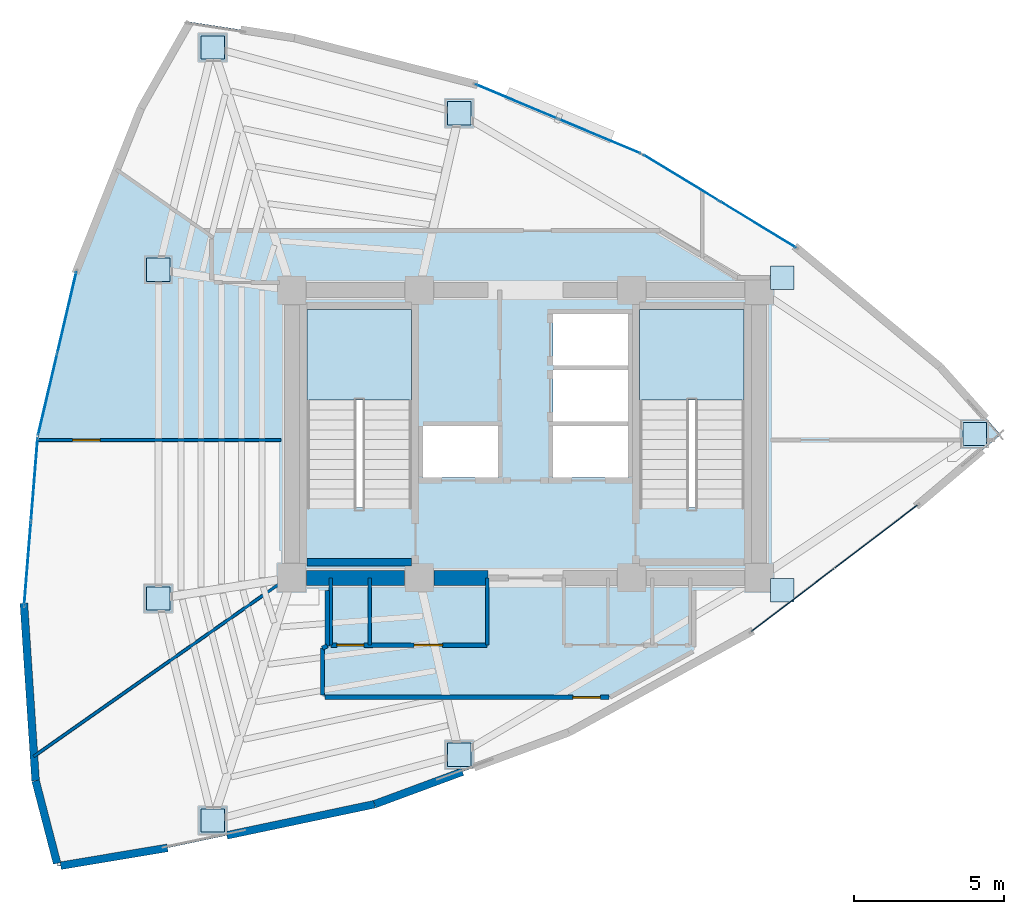
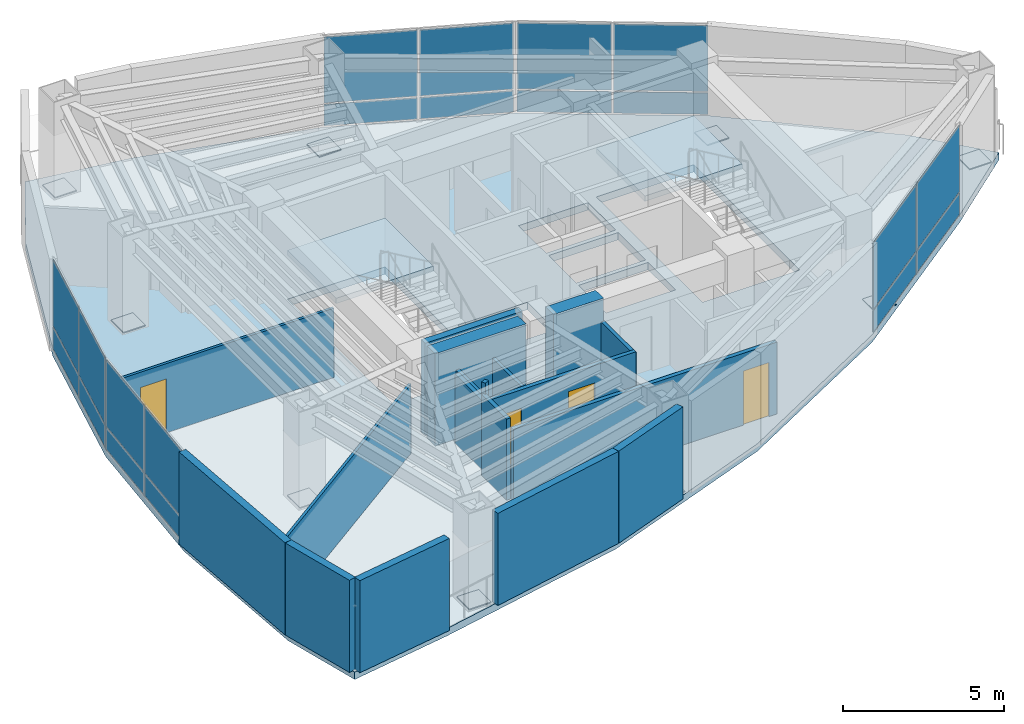
# One storey, part 11 of 15: 29 plates, 18 walls, 4 doors, 3 slabs, 4 openings, 7 elements without a shape of their own.
"""IFC4 building model written with IfcOpenShell, lengths in metres."""

from ifc_helpers import new_model, si_unit, direction, frame, frame_2d, origin, origin_2d, place, context, subcontext, project, spatial, polyline, rectangle, outline, extrude, material, layer, layer_set, type_object, element, fill, aggregate, save


model = new_model("IFC4")

# Units and contexts
model_context = context("Model", 3, precision=1e-05, world=origin(), true_north=direction((0.0, 1.0)))
body_context = subcontext(model_context, "Body", "Model", "MODEL_VIEW")
ifc_project = project(units=[si_unit("LENGTHUNIT", "METRE"), si_unit("AREAUNIT", "SQUARE_METRE"), si_unit("VOLUMEUNIT", "CUBIC_METRE"), si_unit("PLANEANGLEUNIT", "RADIAN"), si_unit("MASSUNIT", "GRAM", prefix="KILO")], contexts=[model_context])

# Site, building, storey
site_placement = place(None, origin())
site = spatial("IfcSite", under=ifc_project, at=site_placement, CompositionType="ELEMENT")
building_placement = place(site_placement, origin())
building = spatial("IfcBuilding", under=site, at=building_placement, Name="Menara Vayukalpa", CompositionType="ELEMENT")
storey_placement = place(building_placement, frame((0.0, 0.0, 172.919921875)))
storey = spatial("IfcBuildingStorey", under=building, at=storey_placement, Name="L43", CompositionType="ELEMENT", Elevation=172.919921875)

# Curtain wall, plates
ifc_material_1 = material(Name="Anodised Terracotta Aluminium Alloy 6063-T6", Category="masonry")
ifc_layer_1 = layer(ifc_material_1, 0.139892578125)
ifc_layer_set_1 = layer_set([ifc_layer_1], Name="Anodised Terracotta Aluminium Alloy 6063-T6")
curtain_wall_type = type_object("IfcCurtainWallType", Name="CW-CW5", PredefinedType="USERDEFINED", material=ifc_layer_set_1)
curtain_wall_1_placement = place(storey_placement, origin())
curtain_wall_1 = element("IfcCurtainWall", 1, at=curtain_wall_1_placement, inside=storey, type_object=curtain_wall_type, Name="L43 High Rise Tapered Curtain Wall CW5 04", ObjectType="UNITISED", PredefinedType="USERDEFINED")
ifc_material_2 = material(Name="Low-E Double Glazing", Category="glass")
ifc_layer_2 = layer(ifc_material_2, 0.028076171875)
ifc_layer_set_2 = layer_set([ifc_layer_2], Name="Low-E Double Glazing")
plate_type_1 = type_object("IfcPlateType", Name="CWP-CW5", PredefinedType="CURTAIN_PANEL", material=ifc_layer_set_2)
plate_1_placement = place(storey_placement, frame((33.358642578125, 28.994384765625, 0.06005859375), z_axis=(0.0, 0.0, 1.0), x_axis=(-0.854664974832, 0.519179911779, 0.0)))
plate_1 = element("IfcPlate", 2, at=plate_1_placement, type_object=plate_type_1, Name="CW5 panel 1.1", PredefinedType="CURTAIN_PANEL", context=body_context, shape_type="SweptSolid", body=[
    extrude(rectangle(XDim=2.9423828125, YDim=0.028076171875, at=origin_2d()), origin(), (0.0, 0.0, 1.0), 0.81005859375),
])
plate_2_placement = place(storey_placement, frame((33.358642578125, 28.994384765625, 0.93017578125), z_axis=(0.0, 0.0, 1.0), x_axis=(-0.854664974832, 0.519179911779, 0.0)))
plate_2 = element("IfcPlate", 3, at=plate_2_placement, type_object=plate_type_1, Name="CW5 panel 1.2", PredefinedType="CURTAIN_PANEL", context=body_context, shape_type="SweptSolid", body=[
    extrude(rectangle(XDim=2.9423828125, YDim=0.028076171875, at=origin_2d()), origin(), (0.0, 0.0, 1.0), 2.510009765625),
])
plate_3_placement = place(storey_placement, frame((30.79248046875, 30.55322265625, 0.06005859375), z_axis=(0.0, 0.0, 1.0), x_axis=(-0.854664974832, 0.519179911779, 0.0)))
plate_3 = element("IfcPlate", 4, at=plate_3_placement, type_object=plate_type_1, Name="CW5 panel 2.1", PredefinedType="CURTAIN_PANEL", context=body_context, shape_type="SweptSolid", body=[
    extrude(rectangle(XDim=2.9423828125, YDim=0.028076171875, at=origin_2d()), origin(), (0.0, 0.0, 1.0), 0.81005859375),
])
plate_4_placement = place(storey_placement, frame((30.79248046875, 30.55322265625, 0.93017578125), z_axis=(0.0, 0.0, 1.0), x_axis=(-0.854664974832, 0.519179911779, 0.0)))
plate_4 = element("IfcPlate", 5, at=plate_4_placement, type_object=plate_type_1, Name="CW5 panel 2.2", PredefinedType="CURTAIN_PANEL", context=body_context, shape_type="SweptSolid", body=[
    extrude(rectangle(XDim=2.9423828125, YDim=0.028076171875, at=origin_2d()), origin(), (0.0, 0.0, 1.0), 2.510009765625),
])
aggregate(curtain_wall_1, [plate_1, plate_2, plate_3, plate_4])

curtain_wall_2_placement = place(storey_placement, origin())
curtain_wall_2 = element("IfcCurtainWall", 6, at=curtain_wall_2_placement, inside=storey, type_object=curtain_wall_type, Name="L43 High Rise Tapered Curtain Wall CW5 05", ObjectType="UNITISED", PredefinedType="USERDEFINED")
plate_5_placement = place(storey_placement, frame((28.071044921875, 31.93896484375, 0.06005859375), z_axis=(0.0, 0.0, 1.0), x_axis=(-0.922539431351, 0.385902834406, 0.0)))
plate_5 = element("IfcPlate", 7, at=plate_5_placement, type_object=plate_type_1, Name="CW5 panel 1.1", PredefinedType="CURTAIN_PANEL", context=body_context, shape_type="SweptSolid", body=[
    extrude(rectangle(XDim=2.9423828125, YDim=0.028076171875, at=origin_2d()), origin(), (0.0, 0.0, 1.0), 0.81005859375),
])
plate_6_placement = place(storey_placement, frame((28.071044921875, 31.93896484375, 0.93017578125), z_axis=(0.0, 0.0, 1.0), x_axis=(-0.922539431351, 0.385902834406, 0.0)))
plate_6 = element("IfcPlate", 8, at=plate_6_placement, type_object=plate_type_1, Name="CW5 panel 1.2", PredefinedType="CURTAIN_PANEL", context=body_context, shape_type="SweptSolid", body=[
    extrude(rectangle(XDim=2.9423828125, YDim=0.028076171875, at=origin_2d()), origin(), (0.0, 0.0, 1.0), 2.510009765625),
])
plate_7_placement = place(storey_placement, frame((25.30126953125, 33.09765625, 0.06005859375), z_axis=(0.0, 0.0, 1.0), x_axis=(-0.922539431351, 0.385902834406, 0.0)))
plate_7 = element("IfcPlate", 9, at=plate_7_placement, type_object=plate_type_1, Name="CW5 panel 2.1", PredefinedType="CURTAIN_PANEL", context=body_context, shape_type="SweptSolid", body=[
    extrude(rectangle(XDim=2.9423828125, YDim=0.028076171875, at=origin_2d()), origin(), (0.0, 0.0, 1.0), 0.81005859375),
])
plate_8_placement = place(storey_placement, frame((25.30126953125, 33.09765625, 0.93017578125), z_axis=(0.0, 0.0, 1.0), x_axis=(-0.922539431351, 0.385902834406, 0.0)))
plate_8 = element("IfcPlate", 10, at=plate_8_placement, type_object=plate_type_1, Name="CW5 panel 2.2", PredefinedType="CURTAIN_PANEL", context=body_context, shape_type="SweptSolid", body=[
    extrude(rectangle(XDim=2.9423828125, YDim=0.028076171875, at=origin_2d()), origin(), (0.0, 0.0, 1.0), 2.510009765625),
])
aggregate(curtain_wall_2, [plate_5, plate_6, plate_7, plate_8])

curtain_wall_3_placement = place(storey_placement, origin())
curtain_wall_3 = element("IfcCurtainWall", 11, at=curtain_wall_3_placement, inside=storey, type_object=curtain_wall_type, Name="L43 High Rise Tapered Curtain Wall CW5 10", ObjectType="UNITISED", PredefinedType="USERDEFINED")
plate_9_placement = place(storey_placement, frame((10.291015625, 26.061279296875, 0.06005859375), z_axis=(0.0, 0.0, 1.0), x_axis=(-0.228148946052, -0.973626241643, 0.0)))
plate_9 = element("IfcPlate", 12, at=plate_9_placement, type_object=plate_type_1, Name="CW5 panel 1.1", PredefinedType="CURTAIN_PANEL", context=body_context, shape_type="SweptSolid", body=[
    extrude(rectangle(XDim=2.758544921875, YDim=0.028076171875, at=origin_2d()), origin(), (0.0, 0.0, 1.0), 0.81005859375),
])
plate_10_placement = place(storey_placement, frame((10.291015625, 26.061279296875, 0.93017578125), z_axis=(0.0, 0.0, 1.0), x_axis=(-0.228148946052, -0.973626241643, 0.0)))
plate_10 = element("IfcPlate", 13, at=plate_10_placement, type_object=plate_type_1, Name="CW5 panel 1.2", PredefinedType="CURTAIN_PANEL", context=body_context, shape_type="SweptSolid", body=[
    extrude(rectangle(XDim=2.758544921875, YDim=0.028076171875, at=origin_2d()), origin(), (0.0, 0.0, 1.0), 2.510009765625),
])
plate_11_placement = place(storey_placement, frame((9.64794921875, 23.317138671875, 0.06005859375), z_axis=(0.0, 0.0, 1.0), x_axis=(-0.228148946052, -0.973626241643, 0.0)))
plate_11 = element("IfcPlate", 14, at=plate_11_placement, type_object=plate_type_1, Name="CW5 panel 2.1", PredefinedType="CURTAIN_PANEL", context=body_context, shape_type="SweptSolid", body=[
    extrude(rectangle(XDim=2.758544921875, YDim=0.028076171875, at=origin_2d()), origin(), (0.0, 0.0, 1.0), 0.81005859375),
])
plate_12_placement = place(storey_placement, frame((9.64794921875, 23.317138671875, 0.93017578125), z_axis=(0.0, 0.0, 1.0), x_axis=(-0.228148946052, -0.973626241643, 0.0)))
plate_12 = element("IfcPlate", 15, at=plate_12_placement, type_object=plate_type_1, Name="CW5 panel 2.2", PredefinedType="CURTAIN_PANEL", context=body_context, shape_type="SweptSolid", body=[
    extrude(rectangle(XDim=2.758544921875, YDim=0.028076171875, at=origin_2d()), origin(), (0.0, 0.0, 1.0), 2.510009765625),
])
aggregate(curtain_wall_3, [plate_9, plate_10, plate_11, plate_12])

curtain_wall_4_placement = place(storey_placement, origin())
curtain_wall_4 = element("IfcCurtainWall", 16, at=curtain_wall_4_placement, inside=storey, type_object=curtain_wall_type, Name="L43 High Rise Tapered Curtain Wall CW5 11", ObjectType="UNITISED", PredefinedType="USERDEFINED")
plate_13_placement = place(storey_placement, frame((9.203857421875, 20.48095703125, 0.06005859375), z_axis=(0.0, 0.0, 1.0), x_axis=(-0.080373782609, -0.996764794256, 0.0)))
plate_13 = element("IfcPlate", 17, at=plate_13_placement, type_object=plate_type_1, Name="CW5 panel 1.1", PredefinedType="CURTAIN_PANEL", context=body_context, shape_type="SweptSolid", body=[
    extrude(rectangle(XDim=2.758544921875, YDim=0.028076171875, at=origin_2d()), origin(), (0.0, 0.0, 1.0), 0.81005859375),
])
plate_14_placement = place(storey_placement, frame((9.203857421875, 20.48095703125, 0.93017578125), z_axis=(0.0, 0.0, 1.0), x_axis=(-0.080373782609, -0.996764794256, 0.0)))
plate_14 = element("IfcPlate", 18, at=plate_14_placement, type_object=plate_type_1, Name="CW5 panel 1.2", PredefinedType="CURTAIN_PANEL", context=body_context, shape_type="SweptSolid", body=[
    extrude(rectangle(XDim=2.758544921875, YDim=0.028076171875, at=origin_2d()), origin(), (0.0, 0.0, 1.0), 2.510009765625),
])
plate_15_placement = place(storey_placement, frame((8.977294921875, 17.671630859375, 0.06005859375), z_axis=(0.0, 0.0, 1.0), x_axis=(-0.080373782609, -0.996764794256, 0.0)))
plate_15 = element("IfcPlate", 19, at=plate_15_placement, type_object=plate_type_1, Name="CW5 panel 2.1", PredefinedType="CURTAIN_PANEL", context=body_context, shape_type="SweptSolid", body=[
    extrude(rectangle(XDim=2.758544921875, YDim=0.028076171875, at=origin_2d()), origin(), (0.0, 0.0, 1.0), 0.81005859375),
])
plate_16_placement = place(storey_placement, frame((8.977294921875, 17.671630859375, 0.93017578125), z_axis=(0.0, 0.0, 1.0), x_axis=(-0.080373782609, -0.996764794256, 0.0)))
plate_16 = element("IfcPlate", 20, at=plate_16_placement, type_object=plate_type_1, Name="CW5 panel 2.2", PredefinedType="CURTAIN_PANEL", context=body_context, shape_type="SweptSolid", body=[
    extrude(rectangle(XDim=2.758544921875, YDim=0.028076171875, at=origin_2d()), origin(), (0.0, 0.0, 1.0), 2.510009765625),
])
aggregate(curtain_wall_4, [plate_13, plate_14, plate_15, plate_16])

curtain_wall_5_placement = place(storey_placement, origin())
curtain_wall_5 = element("IfcCurtainWall", 21, at=curtain_wall_5_placement, inside=storey, type_object=curtain_wall_type, Name="L43 High Rise Tapered Curtain Wall CW5 19", ObjectType="UNITISED", PredefinedType="USERDEFINED")
plate_17_placement = place(storey_placement, frame((34.515869140625, 16.457275390625, 0.06005859375), z_axis=(0.0, 0.0, 1.0), x_axis=(0.795814608589, 0.60554034445, 0.0)))
plate_17 = element("IfcPlate", 22, at=plate_17_placement, type_object=plate_type_1, Name="CW5 panel 1.1", PredefinedType="CURTAIN_PANEL", context=body_context, shape_type="SweptSolid", body=[
    extrude(rectangle(XDim=3.44287109375, YDim=0.028076171875, at=origin_2d()), origin(), (0.0, 0.0, 1.0), 0.81005859375),
])
plate_18_placement = place(storey_placement, frame((34.515869140625, 16.457275390625, 0.93017578125), z_axis=(0.0, 0.0, 1.0), x_axis=(0.795814608589, 0.60554034445, 0.0)))
plate_18 = element("IfcPlate", 23, at=plate_18_placement, type_object=plate_type_1, Name="CW5 panel 1.2", PredefinedType="CURTAIN_PANEL", context=body_context, shape_type="SweptSolid", body=[
    extrude(rectangle(XDim=3.44287109375, YDim=0.028076171875, at=origin_2d()), origin(), (0.0, 0.0, 1.0), 2.510009765625),
])
plate_19_placement = place(storey_placement, frame((37.303466796875, 18.578369140625, 0.06005859375), z_axis=(0.0, 0.0, 1.0), x_axis=(0.795814608589, 0.60554034445, 0.0)))
plate_19 = element("IfcPlate", 24, at=plate_19_placement, type_object=plate_type_1, Name="CW5 panel 2.1", PredefinedType="CURTAIN_PANEL", context=body_context, shape_type="SweptSolid", body=[
    extrude(rectangle(XDim=3.44287109375, YDim=0.028076171875, at=origin_2d()), origin(), (0.0, 0.0, 1.0), 0.81005859375),
])
plate_20_placement = place(storey_placement, frame((37.303466796875, 18.578369140625, 0.93017578125), z_axis=(0.0, 0.0, 1.0), x_axis=(0.795814608589, 0.60554034445, 0.0)))
plate_20 = element("IfcPlate", 25, at=plate_20_placement, type_object=plate_type_1, Name="CW5 panel 2.2", PredefinedType="CURTAIN_PANEL", context=body_context, shape_type="SweptSolid", body=[
    extrude(rectangle(XDim=3.44287109375, YDim=0.028076171875, at=origin_2d()), origin(), (0.0, 0.0, 1.0), 2.510009765625),
])
aggregate(curtain_wall_5, [plate_17, plate_18, plate_19, plate_20])

# Plates
ifc_material_3 = material(Name="Steel S355", Category="steel")
ifc_layer_3 = layer(ifc_material_3, 0.034912109375)
ifc_layer_set_3 = layer_set([ifc_layer_3], Name="Steel S355")
plate_type_2 = type_object("IfcPlateType", Name="PLT-SP2", PredefinedType="USERDEFINED", material=ifc_layer_set_3)
for number, where, z_axis, x_axis, name in (
    (26, (40.590576171875, 22.0, 0.0), (0.0, 0.0, 1.0), (1.0, 0.0, 0.0), "L43 Mega Column Tier Splice Plate 01"),
    (27, (34.168212890625, 27.218994140625, 0.0), (0.0, 0.0, 1.0), (1.0, 0.0, 0.0), "L43 Mega Column Tier Splice Plate 02"),
    (28, (23.389404296875, 32.70849609375, 0.0), (0.0, 0.0, 1.0), (1.0, 0.0, 0.0), "L43 Mega Column Tier Splice Plate 03"),
    (29, (15.15478515625, 34.902587890625, 0.0), (0.0, 0.0, 1.0), (1.0, 0.0, 0.0), "L43 Mega Column Tier Splice Plate 04"),
    (30, (13.343994140625, 27.4892578125, 0.0), (0.0, 0.0, 1.0), (1.0, 0.0, 0.0), "L43 Mega Column Tier Splice Plate 05"),
    (31, (13.343994140625, 16.5107421875, 0.0), (0.0, 0.0, 1.0), (1.0, 0.0, 0.0), "L43 Mega Column Tier Splice Plate 06"),
    (32, (15.15478515625, 9.097412109375, 0.0), (0.0, 0.0, 1.0), (1.0, 0.0, 0.0), "L43 Mega Column Tier Splice Plate 07"),
    (33, (23.389404296875, 11.29150390625, 0.0), (0.0, 0.0, 1.0), (1.0, 0.0, 0.0), "L43 Mega Column Tier Splice Plate 08"),
    (34, (34.168212890625, 16.781005859375, 0.0), (0.0, 0.0, 1.0), (1.0, 0.0, 0.0), "L43 Mega Column Tier Splice Plate 09"),
):
    element("IfcPlate", number, at=place(storey_placement, frame(where, z_axis=z_axis, x_axis=x_axis)), inside=storey, type_object=plate_type_2, Name=name, ObjectType="SPLICE_PLATE", PredefinedType="USERDEFINED", context=body_context, shape_type="SweptSolid", body=[
        extrude(rectangle(XDim=0.780029296875, YDim=0.780029296875, at=origin_2d()), origin(), (0.0, 0.0, 1.0), 0.034912109375),
    ])

# Slab
ifc_material_4 = material(Name="Concrete C40/50", Category="concrete")
ifc_layer_4 = layer(ifc_material_4, 0.280029296875)
ifc_layer_set_4 = layer_set([ifc_layer_4], Name="Concrete C40/50")
slab_type_1 = type_object("IfcSlabType", Name="SLB-FL280", PredefinedType="FLOOR", material=ifc_layer_set_4)
slab_1_placement = place(storey_placement, frame((0.0, 0.0, -0.280029296875)))
element("IfcSlab", 35, at=slab_1_placement, inside=storey, type_object=slab_type_1, Name="L43 Structural Floor Slab", PredefinedType="FLOOR", context=body_context, shape_type="SweptSolid", body=[
    extrude(outline(polyline([(38.72119140625, 19.656982421875), (41.4609375, 21.974853515625), (39.439208984375, 24.2421875), (34.667236328125, 28.19921875), (29.48388671875, 31.34814453125), (23.888671875, 33.688720703125), (17.881591796875, 35.220703125), (14.400390625, 35.755859375), (12.76123046875, 32.877685546875), (10.619384765625, 27.462646484375), (9.319580078125, 21.915771484375), (8.86181640625, 16.237060546875), (9.24560546875, 10.426513671875), (9.9873046875, 7.573486328125), (13.648193359375, 8.184326171875), (20.56201171875, 9.64208984375), (27.045166015625, 12.040283203125), (33.098388671875, 15.37841796875), (38.72119140625, 19.656982421875)]), holes=[polyline([(21.800048828125, 19.550048828125), (21.800048828125, 26.14990234375), (18.300048828125, 26.14990234375), (18.300048828125, 19.550048828125), (21.800048828125, 19.550048828125)]), polyline([(32.89990234375, 19.550048828125), (32.89990234375, 26.14990234375), (29.39990234375, 26.14990234375), (29.39990234375, 19.550048828125), (32.89990234375, 19.550048828125)]), polyline([(22.179931640625, 20.550048828125), (24.679931640625, 20.550048828125), (24.679931640625, 22.27001953125), (22.179931640625, 22.27001953125), (22.179931640625, 20.550048828125)]), polyline([(26.52001953125, 20.550048828125), (29.02001953125, 20.550048828125), (29.02001953125, 22.27001953125), (26.52001953125, 22.27001953125), (26.52001953125, 20.550048828125)]), polyline([(26.52001953125, 24.2900390625), (29.02001953125, 24.2900390625), (29.02001953125, 26.010009765625), (26.52001953125, 26.010009765625), (26.52001953125, 24.2900390625)]), polyline([(26.52001953125, 22.419921875), (29.02001953125, 22.419921875), (29.02001953125, 24.139892578125), (26.52001953125, 24.139892578125), (26.52001953125, 22.419921875)])]), origin(), (0.0, 0.0, 1.0), 0.280029296875),
])

# Stair, slab
ifc_material_5 = material(Name="Precast Concrete C40/50", Category="concrete")
stair_type = type_object("IfcStairType", Name="STR-T04", PredefinedType="DOUBLE_RETURN_STAIR", material=ifc_material_5)
stair_1_placement = place(storey_placement, origin())
stair_1 = element("IfcStair", 36, at=stair_1_placement, inside=storey, type_object=stair_type, Name="L43 Core Exit Stair ST-1", PredefinedType="DOUBLE_RETURN_STAIR")
ifc_material_6 = material(Name="Precast Concrete C40/50", Category="concrete")
ifc_layer_5 = layer(ifc_material_6, 0.199951171875)
ifc_layer_set_5 = layer_set([ifc_layer_5], Name="Precast Concrete C40/50")
slab_type_2 = type_object("IfcSlabType", Name="SLB-LND200", PredefinedType="LANDING", material=ifc_layer_set_5)
slab_2_placement = place(storey_placement, frame((0.0, 0.0, 1.66015625)))
slab_2 = element("IfcSlab", 37, at=slab_2_placement, type_object=slab_type_2, Name="ST-1 landing 1", PredefinedType="LANDING", context=body_context, shape_type="SweptSolid", body=[
    extrude(outline(polyline([(21.800048828125, 23.1298828125), (21.800048828125, 26.14990234375), (18.300048828125, 26.14990234375), (18.300048828125, 23.1298828125), (21.800048828125, 23.1298828125)])), origin(), (0.0, 0.0, 1.0), 0.199951171875),
])
aggregate(stair_1, [slab_2])

stair_2_placement = place(storey_placement, origin())
stair_2 = element("IfcStair", 38, at=stair_2_placement, inside=storey, type_object=stair_type, Name="L43 Core Exit Stair ST-2", PredefinedType="DOUBLE_RETURN_STAIR")
slab_3_placement = place(storey_placement, frame((0.0, 0.0, 1.66015625)))
slab_3 = element("IfcSlab", 39, at=slab_3_placement, type_object=slab_type_2, Name="ST-2 landing 1", PredefinedType="LANDING", context=body_context, shape_type="SweptSolid", body=[
    extrude(outline(polyline([(32.89990234375, 23.1298828125), (32.89990234375, 26.14990234375), (29.39990234375, 26.14990234375), (29.39990234375, 23.1298828125), (32.89990234375, 23.1298828125)])), origin(), (0.0, 0.0, 1.0), 0.199951171875),
])
aggregate(stair_2, [slab_3])

# Walls
ifc_material_7 = material(Name="Concrete C60/75", Category="concrete")
ifc_layer_6 = layer(ifc_material_7, 0.5)
ifc_layer_set_6 = layer_set([ifc_layer_6], Name="Concrete C60/75")
wall_type_1 = type_object("IfcWallType", Name="WAL-CW500", PredefinedType="SHEAR", material=ifc_layer_set_6)
wall_1_placement = place(storey_placement, frame((18.294921875, 17.199951171875, 0.0), z_axis=(0.0, 0.0, 1.0), x_axis=(1.0, 0.0, 0.0)))
element("IfcWall", 40, at=wall_1_placement, inside=storey, type_object=wall_type_1, Name="L43 Buttressed Core Shear Wall CWS1", PredefinedType="SHEAR", context=body_context, shape_type="SweptSolid", body=[
    extrude(rectangle(XDim=3.260009765625, YDim=0.5, at=frame_2d((1.6298828125, 0.0))), origin(), (0.0, 0.0, 1.0), 3.5),
])
wall_2_placement = place(storey_placement, frame((22.544921875, 17.199951171875, 0.0), z_axis=(0.0, 0.0, 1.0), x_axis=(1.0, 0.0, 0.0)))
element("IfcWall", 41, at=wall_2_placement, inside=storey, type_object=wall_type_1, Name="L43 Buttressed Core Shear Wall CWS2", PredefinedType="SHEAR", context=body_context, shape_type="SweptSolid", body=[
    extrude(rectangle(XDim=1.80517578125, YDim=0.5, at=frame_2d((0.902587890625, 0.0))), origin(), (0.0, 0.0, 1.0), 3.5),
])
ifc_material_8 = material(Name="Insulated Precast Concrete C40/50", Category="concrete")
ifc_layer_7 = layer(ifc_material_8, 0.260009765625)
ifc_layer_set_7 = layer_set([ifc_layer_7], Name="Insulated Precast Concrete C40/50")
wall_type_2 = type_object("IfcWallType", Name="WAL-EXT260", PredefinedType="PARTITIONING", material=ifc_layer_set_7)
wall_3_placement = place(storey_placement, frame((9.24560546875, 10.427734375, 0.0), z_axis=(0.0, 0.0, 1.0), x_axis=(-0.065934416021, 0.997823958814, 0.0)))
element("IfcWall", 42, at=wall_3_placement, inside=storey, type_object=wall_type_2, Name="L43 Perimeter Terracotta Pier Wall 12", PredefinedType="PARTITIONING", context=body_context, shape_type="SweptSolid", body=[
    extrude(rectangle(XDim=5.931884765625, YDim=0.260009765625, at=frame_2d((2.9658203125, 0.0))), origin(), (0.0, 0.0, 1.0), 3.5),
])
wall_4_placement = place(storey_placement, frame((9.962646484375, 7.6689453125, 0.0), z_axis=(0.0, 0.0, 1.0), x_axis=(-0.251601733001, 0.967830857098, 0.0)))
element("IfcWall", 43, at=wall_4_placement, inside=storey, type_object=wall_type_2, Name="L43 Perimeter Terracotta Pier Wall 13", PredefinedType="PARTITIONING", context=body_context, shape_type="SweptSolid", body=[
    extrude(rectangle(XDim=2.847900390625, YDim=0.260009765625, at=frame_2d((1.423828125, 0.0))), origin(), (0.0, 0.0, 1.0), 3.5),
])
wall_5_placement = place(storey_placement, frame((13.648193359375, 8.184326171875, 0.0), z_axis=(0.0, 0.0, 1.0), x_axis=(-0.986357371246, -0.164618152669, 0.0)))
element("IfcWall", 44, at=wall_5_placement, inside=storey, type_object=wall_type_2, Name="L43 Perimeter Terracotta Pier Wall 14", PredefinedType="PARTITIONING", context=body_context, shape_type="SweptSolid", body=[
    extrude(rectangle(XDim=3.61279296875, YDim=0.260009765625, at=frame_2d((1.806396484375, 0.0))), origin(), (0.0, 0.0, 1.0), 3.5),
])
wall_6_placement = place(storey_placement, frame((20.56201171875, 9.64208984375, 0.0), z_axis=(0.0, 0.0, 1.0), x_axis=(-0.978488082144, -0.206303352137, 0.0)))
element("IfcWall", 45, at=wall_6_placement, inside=storey, type_object=wall_type_2, Name="L43 Perimeter Terracotta Pier Wall 15", PredefinedType="PARTITIONING", context=body_context, shape_type="SweptSolid", body=[
    extrude(rectangle(XDim=5.041259765625, YDim=0.260009765625, at=frame_2d((2.5205078125, 0.0))), origin(), (0.0, 0.0, 1.0), 3.5),
])
wall_7_placement = place(storey_placement, frame((23.494873046875, 10.72705078125, 0.0), z_axis=(0.0, 0.0, 1.0), x_axis=(-0.937882421791, -0.346953257508, 0.0)))
element("IfcWall", 46, at=wall_7_placement, inside=storey, type_object=wall_type_2, Name="L43 Perimeter Terracotta Pier Wall 16", PredefinedType="PARTITIONING", context=body_context, shape_type="SweptSolid", body=[
    extrude(rectangle(XDim=3.127197265625, YDim=0.260009765625, at=frame_2d((1.5634765625, 0.0))), origin(), (0.0, 0.0, 1.0), 3.5),
])

# Wall, opening, door
ifc_material_9 = material(Name="Glazed Demountable Office Partition", Category="glass")
ifc_layer_8 = layer(ifc_material_9, 0.094970703125)
ifc_layer_set_8 = layer_set([ifc_layer_8], Name="Glazed Demountable Office Partition")
wall_type_3 = type_object("IfcWallType", Name="WAL-PT100", PredefinedType="PARTITIONING", material=ifc_layer_set_8)
wall_8_placement = place(storey_placement, frame((9.30029296875, 21.800048828125, 0.0), z_axis=(0.0, 0.0, 1.0), x_axis=(1.0, 0.0, 0.0)))
wall_8 = element("IfcWall", 47, at=wall_8_placement, inside=storey, type_object=wall_type_3, Name="L43 Interior Partition IW-L43-RDIV02", PredefinedType="PARTITIONING", context=body_context, shape_type="SweptSolid", body=[
    extrude(rectangle(XDim=8.129638671875, YDim=0.094970703125, at=frame_2d((4.06494140625, 0.0))), origin(), (0.0, 0.0, 1.0), 2.630126953125),
])
opening_1_placement = place(wall_8_placement, frame((1.179931640625, 0.0, 0.0)))
opening_1 = element("IfcOpeningElement", 48, at=opening_1_placement, cuts=wall_8, Name="Opening ID6", PredefinedType="OPENING", context=body_context, shape_type="SweptSolid", body=[
    extrude(rectangle(XDim=0.919921875, YDim=2.050048828125, at=frame_2d((0.4599609375, 1.02490234375))), frame((0.0, 0.057373046875, 0.0), z_axis=(0.0, -1.0, 0.0), x_axis=(1.0, 0.0, 0.0)), (0.0, 0.0, 1.0), 0.114990234375),
])
ifc_material_10 = material(Name="Acoustic Hardwood Veneer Timber Door", Category="wood")
door_type_1 = type_object("IfcDoorType", Name="DR-INT92", OperationType="NOTDEFINED", PredefinedType="DOOR", material=ifc_material_10)
door_1_placement = place(opening_1_placement, origin())
door_1 = element("IfcDoor", 49, at=door_1_placement, inside=storey, type_object=door_type_1, Name="L43 Interior Door DR-L43-STE01", OperationType="SINGLE_SWING_LEFT", OverallHeight=2.050048828125, OverallWidth=0.919921875, PredefinedType="DOOR", context=body_context, shape_type="SweptSolid", body=[
    extrude(rectangle(XDim=0.919921875, YDim=2.050048828125, at=frame_2d((0.4599609375, 1.02490234375))), frame((0.0, 0.02490234375, 0.0), z_axis=(0.0, -1.0, 0.0), x_axis=(1.0, 0.0, 0.0)), (0.0, 0.0, 1.0), 0.050048828125),
])
fill(opening_1, door_1)

# Walls
wall_9_placement = place(storey_placement, frame((9.18212890625, 11.236083984375, 0.0), z_axis=(0.0, 0.0, 1.0), x_axis=(0.818184922636, 0.574955156835, 0.0)))
element("IfcWall", 50, at=wall_9_placement, inside=storey, type_object=wall_type_3, Name="L43 Interior Partition IW-L43-RDIV04", PredefinedType="PARTITIONING", context=body_context, shape_type="SweptSolid", body=[
    extrude(rectangle(XDim=10.08056640625, YDim=0.094970703125, at=frame_2d((5.040283203125, 0.0))), origin(), (0.0, 0.0, 1.0), 2.630126953125),
])
ifc_material_11 = material(Name="Acoustic Mineral Stud Partition", Category="masonry")
ifc_layer_9 = layer(ifc_material_11, 0.110107421875)
ifc_layer_set_9 = layer_set([ifc_layer_9], Name="Acoustic Mineral Stud Partition")
wall_type_4 = type_object("IfcWallType", Name="WAL-PT110", PredefinedType="PARTITIONING", material=ifc_layer_set_9)
wall_10_placement = place(storey_placement, frame((20.39990234375, 14.949951171875, 0.0), z_axis=(0.0, 0.0, 1.0), x_axis=(0.0, 1.0, 0.0)))
element("IfcWall", 51, at=wall_10_placement, inside=storey, type_object=wall_type_4, Name="L43 Interior Partition IW-L43-SVCD-02", PredefinedType="PARTITIONING", context=body_context, shape_type="SweptSolid", body=[
    extrude(rectangle(XDim=2.25, YDim=0.110107421875, at=frame_2d((1.125, 0.0))), origin(), (0.0, 0.0, 1.0), 2.630126953125),
])
ifc_material_12 = material(Name="Gypsum Drywall Steel Stud Assembly", Category="steel")
ifc_layer_10 = layer(ifc_material_12, 0.125)
ifc_layer_set_10 = layer_set([ifc_layer_10], Name="Gypsum Drywall Steel Stud Assembly")
wall_type_5 = type_object("IfcWallType", Name="WAL-PT125", PredefinedType="PARTITIONING", material=ifc_layer_set_10)
for number, where, z_axis, x_axis, name in (
    (52, (19.10009765625, 14.949951171875, 0.0), (0.0, 0.0, 1.0), (0.0, 1.0, 0.0), "L43 Interior Partition IW-L43-SVCD-01"),
    (53, (24.320068359375, 14.949951171875, 0.0), (0.0, 0.0, 1.0), (0.0, 1.0, 0.0), "L43 Interior Partition IW-L43-SVCD-03"),
):
    element("IfcWall", number, at=place(storey_placement, frame(where, z_axis=z_axis, x_axis=x_axis)), inside=storey, type_object=wall_type_5, Name=name, PredefinedType="PARTITIONING", context=body_context, shape_type="SweptSolid", body=[
        extrude(rectangle(XDim=2.25, YDim=0.125, at=frame_2d((1.125, 0.0))), origin(), (0.0, 0.0, 1.0), 2.630126953125),
    ])

# Wall, openings, doors
ifc_material_13 = material(Name="Gypsum Drywall Acoustic Stud Assembly", Category="masonry")
ifc_layer_11 = layer(ifc_material_13, 0.14501953125)
ifc_layer_set_11 = layer_set([ifc_layer_11], Name="Gypsum Drywall Acoustic Stud Assembly")
wall_type_6 = type_object("IfcWallType", Name="WAL-PT150", PredefinedType="PARTITIONING", material=ifc_layer_set_11)
wall_11_placement = place(storey_placement, frame((19.10009765625, 14.949951171875, 0.0), z_axis=(0.0, 0.0, 1.0), x_axis=(1.0, 0.0, 0.0)))
wall_11 = element("IfcWall", 54, at=wall_11_placement, inside=storey, type_object=wall_type_6, Name="L43 Interior Partition IW-L43-SVCS-W", PredefinedType="PARTITIONING", context=body_context, shape_type="SweptSolid", body=[
    extrude(rectangle(XDim=5.219970703125, YDim=0.14501953125, at=frame_2d((2.60986328125, 0.0))), origin(), (0.0, 0.0, 1.0), 2.72998046875),
])
opening_2_placement = place(wall_11_placement, frame((0.199951171875, 0.0, 0.0)))
opening_2 = element("IfcOpeningElement", 55, at=opening_2_placement, cuts=wall_11, Name="Opening ID7", PredefinedType="OPENING", context=body_context, shape_type="SweptSolid", body=[
    extrude(rectangle(XDim=0.89990234375, YDim=2.02001953125, at=frame_2d((0.449951171875, 1.010009765625))), frame((0.0, 0.08251953125, 0.0), z_axis=(0.0, -1.0, 0.0), x_axis=(1.0, 0.0, 0.0)), (0.0, 0.0, 1.0), 0.1650390625),
])
opening_3_placement = place(wall_11_placement, frame((2.784912109375, 0.0, 0.0)))
opening_3 = element("IfcOpeningElement", 56, at=opening_3_placement, cuts=wall_11, Name="Opening ID5", PredefinedType="OPENING", context=body_context, shape_type="SweptSolid", body=[
    extrude(rectangle(XDim=0.949951171875, YDim=2.06005859375, at=frame_2d((0.47509765625, 1.030029296875))), frame((0.0, 0.08251953125, 0.0), z_axis=(0.0, -1.0, 0.0), x_axis=(1.0, 0.0, 0.0)), (0.0, 0.0, 1.0), 0.1650390625),
])
ifc_material_14 = material(Name="Acoustic Hardwood Veneer Timber Door", Category="wood")
door_type_2 = type_object("IfcDoorType", Name="DR-INT95", OperationType="NOTDEFINED", PredefinedType="DOOR", material=ifc_material_14)
door_2_placement = place(opening_3_placement, origin())
door_2 = element("IfcDoor", 57, at=door_2_placement, inside=storey, type_object=door_type_2, Name="L43 Interior Door DR-L43-AWC", OperationType="SINGLE_SWING_RIGHT", OverallHeight=2.06005859375, OverallWidth=0.949951171875, PredefinedType="DOOR", context=body_context, shape_type="SweptSolid", body=[
    extrude(rectangle(XDim=0.949951171875, YDim=2.06005859375, at=frame_2d((0.47509765625, 1.030029296875))), frame((0.0, 0.02490234375, 0.0), z_axis=(0.0, -1.0, 0.0), x_axis=(1.0, 0.0, 0.0)), (0.0, 0.0, 1.0), 0.050048828125),
])
fill(opening_3, door_2)
ifc_material_15 = material(Name="Powder-Coated Steel Riser Access Door", Category="steel")
door_type_3 = type_object("IfcDoorType", Name="DR-RISER", OperationType="NOTDEFINED", PredefinedType="DOOR", material=ifc_material_15)
door_3_placement = place(opening_2_placement, origin())
door_3 = element("IfcDoor", 58, at=door_3_placement, inside=storey, type_object=door_type_3, Name="L43 Interior Door DR-L43-ELR", OperationType="SINGLE_SWING_LEFT", OverallHeight=2.02001953125, OverallWidth=0.89990234375, PredefinedType="DOOR", context=body_context, shape_type="SweptSolid", body=[
    extrude(rectangle(XDim=0.89990234375, YDim=2.02001953125, at=frame_2d((0.449951171875, 1.010009765625))), frame((0.0, 0.02490234375, 0.0), z_axis=(0.0, -1.0, 0.0), x_axis=(1.0, 0.0, 0.0)), (0.0, 0.0, 1.0), 0.050048828125),
])
fill(opening_2, door_3)

# Walls
wall_12_placement = place(storey_placement, frame((18.97998046875, 16.780029296875, 0.0), z_axis=(0.0, 0.0, 1.0), x_axis=(0.0, -1.0, 0.0)))
element("IfcWall", 59, at=wall_12_placement, inside=storey, type_object=wall_type_6, Name="L43 Interior Partition IW-L43-CRM02-1", PredefinedType="PARTITIONING", context=body_context, shape_type="SweptSolid", body=[
    extrude(rectangle(XDim=1.85009765625, YDim=0.14501953125, at=frame_2d((0.925048828125, 0.0))), origin(), (0.0, 0.0, 1.0), 2.630126953125),
])
wall_13_placement = place(storey_placement, frame((18.820068359375, 14.85009765625, 0.0), z_axis=(0.0, 0.0, 1.0), x_axis=(0.0, -1.0, 0.0)))
element("IfcWall", 60, at=wall_13_placement, inside=storey, type_object=wall_type_6, Name="L43 Interior Partition IW-L43-CRM02-2", PredefinedType="PARTITIONING", context=body_context, shape_type="SweptSolid", body=[
    extrude(rectangle(XDim=1.56005859375, YDim=0.14501953125, at=frame_2d((0.780029296875, 0.0))), origin(), (0.0, 0.0, 1.0), 3.080078125),
])

# Wall, opening, door
wall_14_placement = place(storey_placement, frame((18.89990234375, 13.2099609375, 0.0), z_axis=(0.0, 0.0, 1.0), x_axis=(1.0, 0.0, 0.0)))
wall_14 = element("IfcWall", 61, at=wall_14_placement, inside=storey, type_object=wall_type_6, Name="L43 Interior Partition IW-L43-CRM02-3", PredefinedType="PARTITIONING", context=body_context, shape_type="SweptSolid", body=[
    extrude(rectangle(XDim=9.4794921875, YDim=0.14501953125, at=frame_2d((4.73974609375, 0.0))), origin(), (0.0, 0.0, 1.0), 2.72998046875),
])
opening_4_placement = place(wall_14_placement, frame((8.279296875, 0.0, 0.0)))
opening_4 = element("IfcOpeningElement", 62, at=opening_4_placement, cuts=wall_14, Name="Opening ID6", PredefinedType="OPENING", context=body_context, shape_type="SweptSolid", body=[
    extrude(rectangle(XDim=0.919921875, YDim=2.050048828125, at=frame_2d((0.4599609375, 1.02490234375))), frame((0.0, 0.08251953125, 0.0), z_axis=(0.0, -1.0, 0.0), x_axis=(1.0, 0.0, 0.0)), (0.0, 0.0, 1.0), 0.1650390625),
])
door_4_placement = place(opening_4_placement, origin())
door_4 = element("IfcDoor", 63, at=door_4_placement, inside=storey, type_object=door_type_1, Name="L43 Interior Door DR-L43-RM02", OperationType="SINGLE_SWING_RIGHT", OverallHeight=2.050048828125, OverallWidth=0.919921875, PredefinedType="DOOR", context=body_context, shape_type="SweptSolid", body=[
    extrude(rectangle(XDim=0.919921875, YDim=2.050048828125, at=frame_2d((0.4599609375, 1.02490234375))), frame((0.0, 0.02490234375, 0.0), z_axis=(0.0, -1.0, 0.0), x_axis=(1.0, 0.0, 0.0)), (0.0, 0.0, 1.0), 0.050048828125),
])
fill(opening_4, door_4)

# Walls
wall_15_placement = place(storey_placement, frame((18.820068359375, 14.85009765625, 0.0), z_axis=(0.0, 0.0, 1.0), x_axis=(0.89470021502, 0.446667130247, 0.0)))
element("IfcWall", 64, at=wall_15_placement, inside=storey, type_object=wall_type_6, Name="L43 Interior Partition IW-L43-CRM02-2-R0", PredefinedType="PARTITIONING", context=body_context, shape_type="SweptSolid", body=[
    extrude(rectangle(XDim=0.1787109375, YDim=0.14501953125, at=frame_2d((0.08935546875, 0.0))), origin(), (0.0, 0.0, 1.0), 3.5),
])
ifc_material_16 = material(Name="Concrete C50/60", Category="concrete")
ifc_layer_12 = layer(ifc_material_16, 0.25)
ifc_layer_set_12 = layer_set([ifc_layer_12], Name="Concrete C50/60")
wall_type_7 = type_object("IfcWallType", Name="WAL-SW250", PredefinedType="SHEAR", material=ifc_layer_set_12)
wall_16_placement = place(storey_placement, frame((18.303955078125, 17.72509765625, 0.0), z_axis=(0.0, 0.0, 1.0), x_axis=(1.0, 0.0, 0.0)))
element("IfcWall", 65, at=wall_16_placement, inside=storey, type_object=wall_type_7, Name="L43 ST1 Structural Stair Shaft Wall S", PredefinedType="SHEAR", context=body_context, shape_type="SweptSolid", body=[
    extrude(rectangle(XDim=3.49609375, YDim=0.25, at=frame_2d((1.748046875, 0.0))), origin(), (0.0, 0.0, 1.0), 3.5),
])

save(model, "model.ifc")
